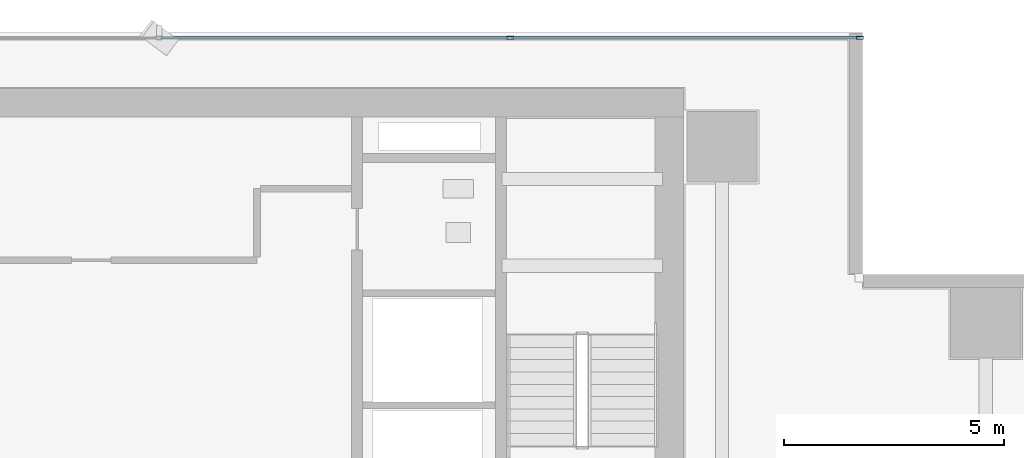
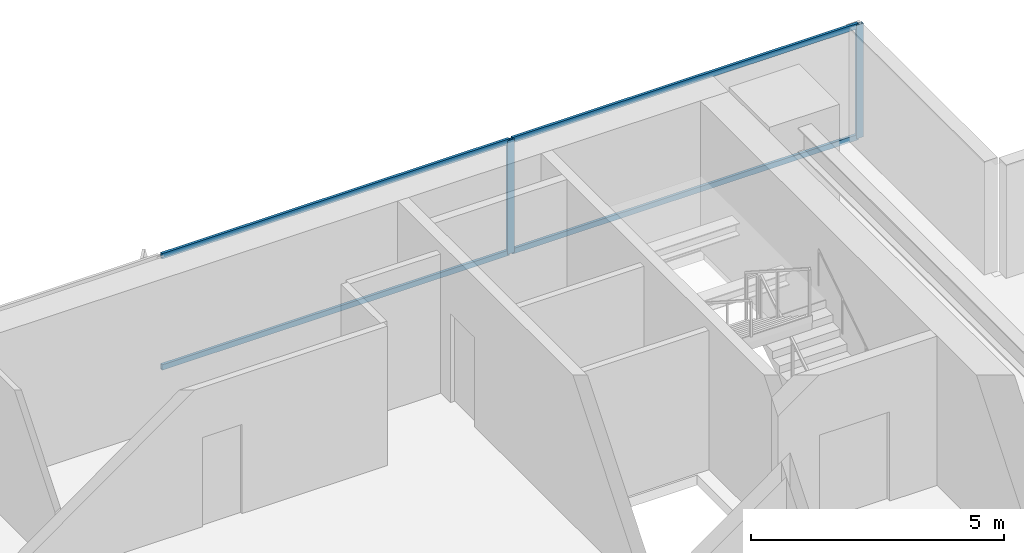
# One storey, part 24 of 35: 6 members, 1 element without a shape of its own.
"""IFC4 building model written with IfcOpenShell, lengths in metres."""

from ifc_helpers import new_model, si_unit, direction, frame, origin, origin_2d, place, context, subcontext, project, spatial, hollow_rectangle, extrude, source, transform, mapped, material, layer, layer_set, material_profile, profile_set, type_object, element, aggregate, save


model = new_model("IFC4")

# Units and contexts
model_context = context("Model", 3, precision=1e-05, world=origin(), true_north=direction((0.0, 1.0)))
body_context = subcontext(model_context, "Body", "Model", "MODEL_VIEW")
ifc_project = project(units=[si_unit("LENGTHUNIT", "METRE"), si_unit("AREAUNIT", "SQUARE_METRE"), si_unit("VOLUMEUNIT", "CUBIC_METRE"), si_unit("PLANEANGLEUNIT", "RADIAN"), si_unit("MASSUNIT", "GRAM", prefix="KILO")], contexts=[model_context])

# Site, building, storey
site_placement = place(None, origin())
site = spatial("IfcSite", under=ifc_project, at=site_placement, CompositionType="ELEMENT")
building_placement = place(site_placement, origin())
building = spatial("IfcBuilding", under=site, at=building_placement, Name="Sumidabori Civic Tower", CompositionType="ELEMENT")
storey_placement = place(building_placement, frame((0.0, 0.0, 102.800048828125)))
storey = spatial("IfcBuildingStorey", under=building, at=storey_placement, Name="L26", CompositionType="ELEMENT", Elevation=102.800048828125)

# Curtain wall, members
ifc_material = material(Name="Anodised Bronze Aluminium AW-6063-T6", Category="aluminium")
ifc_layer = layer(ifc_material, 0.179931640625, Name="Anodised Bronze Aluminium AW-6063-T6")
ifc_layer_set = layer_set([ifc_layer], Name="Anodised Bronze Aluminium AW-6063-T6")
curtain_wall_type = type_object("IfcCurtainWallType", Name="CW-SYS-3", PredefinedType="NOTDEFINED", material=ifc_layer_set)
curtain_wall_placement = place(storey_placement, origin())
curtain_wall = element("IfcCurtainWall", 1, at=curtain_wall_placement, inside=storey, type_object=curtain_wall_type, Name="Curtain Wall CW:L26:R07", PredefinedType="NOTDEFINED")
ifc_material_profile_1 = material_profile(ifc_material, hollow_rectangle(XDim=0.06494140625, YDim=0.159912109375, WallThickness=0.0048828125, at=origin_2d()), Name="ALU MULLION 160x65")
ifc_profile_set_1 = profile_set([ifc_material_profile_1], Name="Anodised Bronze Aluminium AW-6063-T6")
member_type_1 = type_object("IfcMemberType", Name="CW-MUL-160", PredefinedType="MULLION", material=ifc_profile_set_1)
shared_shape_1 = source(origin(), body_context, "Body", "SweptSolid", [
    extrude(hollow_rectangle(XDim=0.06494140625, YDim=0.159912109375, WallThickness=0.0048828125, at=origin_2d()), origin(), (0.0, 0.0, 1.0), 2.739990234375),
])
member_1_placement = place(storey_placement, frame((19.9375, 25.280029296875, 0.0), z_axis=(0.0, 0.0, 1.0), x_axis=(0.0, -1.0, 0.0)))
member_1 = element("IfcMember", 2, at=member_1_placement, type_object=member_type_1, Name="CW-3 mullion 1", PredefinedType="MULLION", context=body_context, shape_type="MappedRepresentation", body=[
    mapped(shared_shape_1, transform((0.0, 0.0, 0.0), x_axis=(1.0, 0.0, 0.0), y_axis=(0.0, 1.0, 0.0), z_axis=(0.0, 0.0, 1.0), scale=1.0)),
])
member_2_placement = place(storey_placement, frame((11.98193359375, 25.280029296875, 0.0), z_axis=(0.0, 0.0, 1.0), x_axis=(0.0, -1.0, 0.0)))
member_2 = element("IfcMember", 3, at=member_2_placement, type_object=member_type_1, Name="CW-3 mullion 2", PredefinedType="MULLION", context=body_context, shape_type="MappedRepresentation", body=[
    mapped(shared_shape_1, transform((0.0, 0.0, 0.0), x_axis=(1.0, 0.0, 0.0), y_axis=(0.0, 1.0, 0.0), z_axis=(0.0, 0.0, 1.0), scale=1.0)),
])
ifc_material_profile_2 = material_profile(ifc_material, hollow_rectangle(XDim=0.06005859375, YDim=0.1298828125, WallThickness=0.0048828125, at=origin_2d()), Name="ALU TRANSOM 130x60")
ifc_profile_set_2 = profile_set([ifc_material_profile_2], Name="Anodised Bronze Aluminium AW-6063-T6")
member_type_2 = type_object("IfcMemberType", Name="CW-TRN-130", PredefinedType="USERDEFINED", material=ifc_profile_set_2)
shared_shape_2 = source(origin(), body_context, "Body", "SweptSolid", [
    extrude(hollow_rectangle(XDim=0.06005859375, YDim=0.1298828125, WallThickness=0.0048828125, at=origin_2d()), origin(), (0.0, 0.0, 1.0), 7.890625),
])
member_3_placement = place(storey_placement, frame((19.905029296875, 25.280029296875, 0.030029296875), z_axis=(-1.0, 0.0, 0.0), x_axis=(0.0, -1.0, 0.0)))
member_3 = element("IfcMember", 4, at=member_3_placement, type_object=member_type_2, Name="CW-3 transom 1.1", ObjectType="TRANSOM", PredefinedType="USERDEFINED", context=body_context, shape_type="MappedRepresentation", body=[
    mapped(shared_shape_2, transform((0.0, 0.0, 0.0), x_axis=(1.0, 0.0, 0.0), y_axis=(0.0, 1.0, 0.0), z_axis=(0.0, 0.0, 1.0), scale=1.0)),
])
member_4_placement = place(storey_placement, frame((19.905029296875, 25.280029296875, 2.7099609375), z_axis=(-1.0, 0.0, 0.0), x_axis=(0.0, -1.0, 0.0)))
member_4 = element("IfcMember", 5, at=member_4_placement, type_object=member_type_2, Name="CW-3 transom 1.2", ObjectType="TRANSOM", PredefinedType="USERDEFINED", context=body_context, shape_type="MappedRepresentation", body=[
    mapped(shared_shape_2, transform((0.0, 0.0, 0.0), x_axis=(1.0, 0.0, 0.0), y_axis=(0.0, 1.0, 0.0), z_axis=(0.0, 0.0, 1.0), scale=1.0)),
])
shared_shape_3 = source(origin(), body_context, "Body", "SweptSolid", [
    extrude(hollow_rectangle(XDim=0.06005859375, YDim=0.1298828125, WallThickness=0.0048828125, at=origin_2d()), origin(), (0.0, 0.0, 1.0), 7.9228515625),
])
member_5_placement = place(storey_placement, frame((11.949462890625, 25.280029296875, 0.030029296875), z_axis=(-1.0, 0.0, 0.0), x_axis=(0.0, -1.0, 0.0)))
member_5 = element("IfcMember", 6, at=member_5_placement, type_object=member_type_2, Name="CW-3 transom 2.1", ObjectType="TRANSOM", PredefinedType="USERDEFINED", context=body_context, shape_type="MappedRepresentation", body=[
    mapped(shared_shape_3, transform((0.0, 0.0, 0.0), x_axis=(1.0, 0.0, 0.0), y_axis=(0.0, 1.0, 0.0), z_axis=(0.0, 0.0, 1.0), scale=1.0)),
])
member_6_placement = place(storey_placement, frame((11.949462890625, 25.280029296875, 2.7099609375), z_axis=(-1.0, 0.0, 0.0), x_axis=(0.0, -1.0, 0.0)))
member_6 = element("IfcMember", 7, at=member_6_placement, type_object=member_type_2, Name="CW-3 transom 2.2", ObjectType="TRANSOM", PredefinedType="USERDEFINED", context=body_context, shape_type="MappedRepresentation", body=[
    mapped(shared_shape_3, transform((0.0, 0.0, 0.0), x_axis=(1.0, 0.0, 0.0), y_axis=(0.0, 1.0, 0.0), z_axis=(0.0, 0.0, 1.0), scale=1.0)),
])
aggregate(curtain_wall, [member_1, member_2, member_3, member_4, member_5, member_6])

save(model, "model.ifc")
